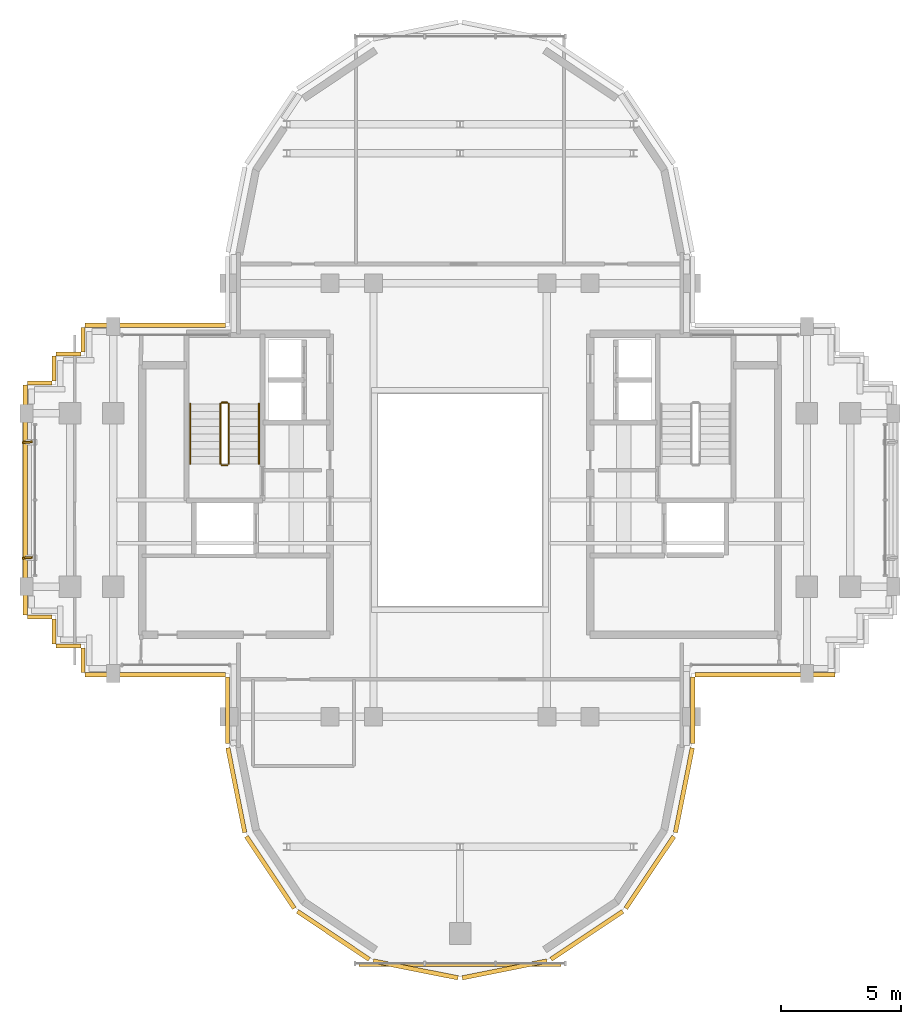
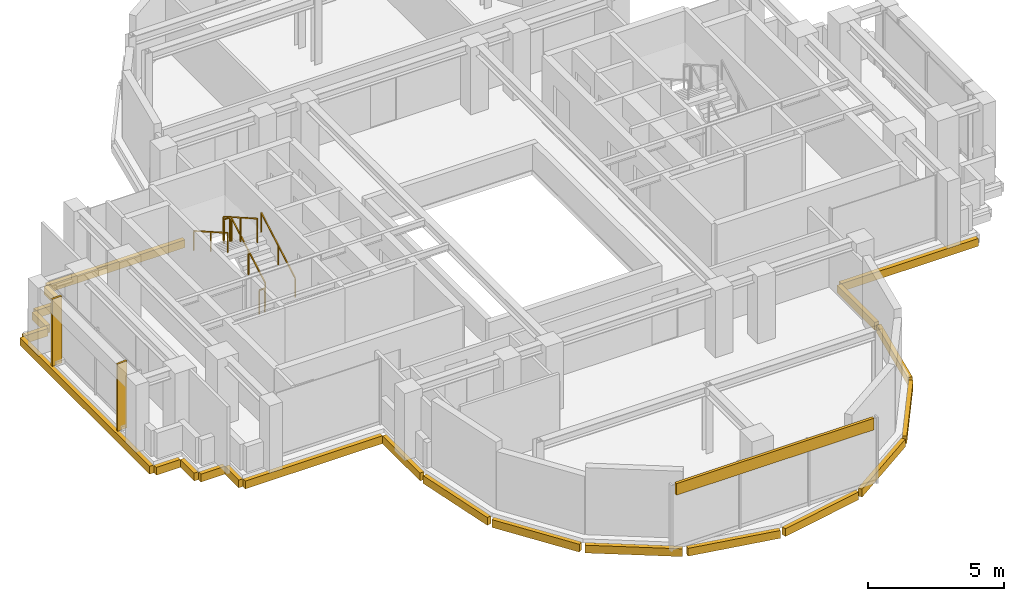
# One storey, part 11 of 12: 23 coverings, 6 railings, 2 shading devices.
"""IFC4 building model written with IfcOpenShell, lengths in metres."""

from ifc_helpers import new_model, si_unit, direction, frame, origin, origin_2d, place, context, subcontext, project, spatial, rectangle, extrude, source, transform, mapped, material, layer, layer_set, type_object, element, save


model = new_model("IFC4")

# Units and contexts
model_context = context("Model", 3, precision=1e-05, world=origin(), true_north=direction((0.0, 1.0)))
body_context = subcontext(model_context, "Body", "Model", "MODEL_VIEW")
ifc_project = project(units=[si_unit("LENGTHUNIT", "METRE"), si_unit("AREAUNIT", "SQUARE_METRE"), si_unit("VOLUMEUNIT", "CUBIC_METRE"), si_unit("PLANEANGLEUNIT", "RADIAN"), si_unit("MASSUNIT", "GRAM", prefix="KILO")], contexts=[model_context])

# Site, building, storey
site_placement = place(None, origin())
site = spatial("IfcSite", under=ifc_project, at=site_placement, CompositionType="ELEMENT")
building_placement = place(site_placement, origin())
building = spatial("IfcBuilding", under=site, at=building_placement, Name="Keilestroom Media Tower", CompositionType="ELEMENT")
storey_placement = place(building_placement, frame((0.0, 0.0, 246.0)))
storey = spatial("IfcBuildingStorey", under=building, at=storey_placement, Name="L68", CompositionType="ELEMENT", Elevation=246.0)

# Railings
ifc_material_1 = material(Name="Brushed Stainless Steel 1.4301", Category="steel")
railing_type_1 = type_object("IfcRailingType", Name="Stair-Pitch-Handrail-920", PredefinedType="HANDRAIL", material=ifc_material_1)
railing_1_placement = place(storey_placement, frame((-8.35009765625, 1.5, 0.177734375)))
element("IfcRailing", 1, at=railing_1_placement, inside=storey, type_object=railing_type_1, Name="L68 ST-1 stair handrail 1", PredefinedType="HANDRAIL", context=body_context, shape_type="SweptSolid", body=[
    extrude(rectangle(XDim=0.048095703125, YDim=0.048095703125, at=origin_2d()), frame((0.0, 0.0, 0.8759765625), z_axis=(0.0, 0.868838684858, 0.495095283449), x_axis=(-1.0, 0.0, 0.0)), (0.0, 0.0, 1.0), 2.872802734375),
    extrude(rectangle(XDim=0.0419921875, YDim=0.0419921875, at=origin_2d()), origin(), (0.0, 0.0, 1.0), 0.84375),
    extrude(rectangle(XDim=0.0419921875, YDim=0.0419921875, at=origin_2d()), frame((0.0, 1.248046875, 0.711181640625)), (0.0, 0.0, 1.0), 0.84375),
    extrude(rectangle(XDim=0.0419921875, YDim=0.0419921875, at=origin_2d()), frame((0.0, 2.49609375, 1.42236328125)), (0.0, 0.0, 1.0), 0.84375),
])
railing_2_placement = place(storey_placement, frame((-11.2099609375, 3.99609375, 1.77783203125)))
element("IfcRailing", 2, at=railing_2_placement, inside=storey, type_object=railing_type_1, Name="L68 ST-1 stair handrail 2", PredefinedType="HANDRAIL", context=body_context, shape_type="SweptSolid", body=[
    extrude(rectangle(XDim=0.048095703125, YDim=0.048095703125, at=origin_2d()), frame((0.0, 0.0, 0.8759765625), z_axis=(0.0, -0.868875238982, 0.495031129408), x_axis=(1.0, 0.0, 0.0)), (0.0, 0.0, 1.0), 2.872802734375),
    extrude(rectangle(XDim=0.0419921875, YDim=0.0419921875, at=origin_2d()), origin(), (0.0, 0.0, 1.0), 0.84375),
    extrude(rectangle(XDim=0.0419921875, YDim=0.0419921875, at=origin_2d()), frame((0.0, -1.248046875, 0.7109375)), (0.0, 0.0, 1.0), 0.84375),
    extrude(rectangle(XDim=0.0419921875, YDim=0.0419921875, at=origin_2d()), frame((0.0, -2.49609375, 1.422119140625)), (0.0, 0.0, 1.0), 0.84375),
])
ifc_material_2 = material(Name="Painted Steel Balustrade", Category="steel")
railing_type_2 = type_object("IfcRailingType", Name="Stair-Well-And-Landing-Guard-1100", PredefinedType="GUARDRAIL", material=ifc_material_2)
railing_3_placement = place(storey_placement, frame((-9.610107421875, 1.5, 0.177734375)))
element("IfcRailing", 3, at=railing_3_placement, inside=storey, type_object=railing_type_2, Name="L68 ST-1 stair guard 1", PredefinedType="GUARDRAIL", context=body_context, shape_type="SweptSolid", body=[
    extrude(rectangle(XDim=0.048095703125, YDim=0.048095703125, at=origin_2d()), frame((0.0, 0.0, 1.076171875), z_axis=(0.0, 0.868838684858, 0.495095283449), x_axis=(-1.0, 0.0, 0.0)), (0.0, 0.0, 1.0), 2.872802734375),
    extrude(rectangle(XDim=0.0419921875, YDim=0.0419921875, at=origin_2d()), origin(), (0.0, 0.0, 1.0), 1.0439453125),
    extrude(rectangle(XDim=0.0419921875, YDim=0.0419921875, at=origin_2d()), frame((0.0, 1.248046875, 0.711181640625)), (0.0, 0.0, 1.0), 1.0439453125),
    extrude(rectangle(XDim=0.0419921875, YDim=0.0419921875, at=origin_2d()), frame((0.0, 2.49609375, 1.42236328125)), (0.0, 0.0, 1.0), 1.0439453125),
])
railing_4_placement = place(storey_placement, frame((-9.659912109375, 4.0458984375, 1.60009765625)))
element("IfcRailing", 4, at=railing_4_placement, inside=storey, type_object=railing_type_2, Name="L68 ST-1 stair guard 2", PredefinedType="GUARDRAIL", context=body_context, shape_type="SweptSolid", body=[
    extrude(rectangle(XDim=0.048095703125, YDim=0.048095703125, at=origin_2d()), frame((0.0, 0.0, 1.076171875), z_axis=(-1.0, 0.0, 0.0), x_axis=(0.0, -1.0, 0.0)), (0.0, 0.0, 1.0), 0.239990234375),
    extrude(rectangle(XDim=0.0419921875, YDim=0.0419921875, at=origin_2d()), origin(), (0.0, 0.0, 1.0), 1.0439453125),
    extrude(rectangle(XDim=0.0419921875, YDim=0.0419921875, at=origin_2d()), frame((-0.239990234375, 0.0, 0.0)), (0.0, 0.0, 1.0), 1.0439453125),
])
railing_5_placement = place(storey_placement, frame((-9.949951171875, 3.99609375, 1.77783203125)))
element("IfcRailing", 5, at=railing_5_placement, inside=storey, type_object=railing_type_2, Name="L68 ST-1 stair guard 3", PredefinedType="GUARDRAIL", context=body_context, shape_type="SweptSolid", body=[
    extrude(rectangle(XDim=0.048095703125, YDim=0.048095703125, at=origin_2d()), frame((0.0, 0.0, 1.076171875), z_axis=(0.0, -0.868875238982, 0.495031129408), x_axis=(1.0, 0.0, 0.0)), (0.0, 0.0, 1.0), 2.872802734375),
    extrude(rectangle(XDim=0.0419921875, YDim=0.0419921875, at=origin_2d()), origin(), (0.0, 0.0, 1.0), 1.0439453125),
    extrude(rectangle(XDim=0.0419921875, YDim=0.0419921875, at=origin_2d()), frame((0.0, -1.248046875, 0.7109375)), (0.0, 0.0, 1.0), 1.0439453125),
    extrude(rectangle(XDim=0.0419921875, YDim=0.0419921875, at=origin_2d()), frame((0.0, -2.49609375, 1.422119140625)), (0.0, 0.0, 1.0), 1.0439453125),
])
railing_6_placement = place(storey_placement, frame((-9.659912109375, 1.449951171875, 0.0)))
element("IfcRailing", 6, at=railing_6_placement, inside=storey, type_object=railing_type_2, Name="L68 ST-1 stair guard 4", PredefinedType="GUARDRAIL", context=body_context, shape_type="SweptSolid", body=[
    extrude(rectangle(XDim=0.048095703125, YDim=0.048095703125, at=origin_2d()), frame((0.0, 0.0, 1.076171875), z_axis=(-1.0, 0.0, 0.0), x_axis=(0.0, -1.0, 0.0)), (0.0, 0.0, 1.0), 0.239990234375),
    extrude(rectangle(XDim=0.0419921875, YDim=0.0419921875, at=origin_2d()), origin(), (0.0, 0.0, 1.0), 1.0439453125),
    extrude(rectangle(XDim=0.0419921875, YDim=0.0419921875, at=origin_2d()), frame((-0.239990234375, 0.0, 0.0)), (0.0, 0.0, 1.0), 1.0439453125),
])

# Covering
ifc_material_3 = material(Name="Precast concrete C40/50", Category="concrete")
ifc_layer = layer(ifc_material_3, 0.1201171875)
ifc_layer_set = layer_set([ifc_layer], Name="Precast concrete C40/50")
covering_type = type_object("IfcCoveringType", Name="Exterior-Precast-Spandrel-Cladding-Panel-120", PredefinedType="CLADDING", material=ifc_layer_set)
shared_shape_1 = source(origin(), body_context, "Body", "SweptSolid", [
    extrude(rectangle(XDim=8.39990234375, YDim=0.1201171875, at=origin_2d()), origin(), (0.0, 0.0, 1.0), 0.52001953125),
])
covering_1_placement = place(storey_placement, frame((0.0, -19.320068359375, 2.5), z_axis=(0.0, 0.0, 1.0), x_axis=(1.0, 0.0, 0.0)))
element("IfcCovering", 7, at=covering_1_placement, inside=storey, type_object=covering_type, Name="L68 Precast Spandrel Cladding S", PredefinedType="CLADDING", context=body_context, shape_type="MappedRepresentation", body=[
    mapped(shared_shape_1, transform((0.0, 0.0, 0.0), x_axis=(1.0, 0.0, 0.0), y_axis=(0.0, 1.0, 0.0), z_axis=(0.0, 0.0, 1.0), scale=1.0)),
])

# Shading devices
ifc_material_4 = material(Name="Bronze Anodised Aluminium", Category="aluminium")
shading_device_type = type_object("IfcShadingDeviceType", Name="Facade-Vertical-Sunshade-Fin-SHD-1", PredefinedType="USERDEFINED", material=ifc_material_4)
shared_shape_2 = source(origin(), body_context, "Body", "SweptSolid", [
    extrude(rectangle(XDim=0.419921875, YDim=0.080078125, at=origin_2d()), origin(), (0.0, 0.0, 1.0), 3.010009765625),
])
for number, where, z_axis, x_axis, name in (
    (8, (-17.969970703125, -2.39990234375, 0.0), (0.0, 0.0, 1.0), (0.997684278836, 0.068015290665, 0.0), "L68 Twisting Sunshade Fin SHD-1 105"),
    (9, (-17.969970703125, 2.39990234375, 0.0), (0.0, 0.0, 1.0), (0.997684278836, 0.068015290665, 0.0), "L68 Twisting Sunshade Fin SHD-1 106"),
):
    element("IfcShadingDevice", number, at=place(storey_placement, frame(where, z_axis=z_axis, x_axis=x_axis)), inside=storey, type_object=shading_device_type, Name=name, ObjectType="SUNSHADE", PredefinedType="USERDEFINED", context=body_context, shape_type="MappedRepresentation", body=[
        mapped(shared_shape_2, transform((0.0, 0.0, 0.0), x_axis=(1.0, 0.0, 0.0), y_axis=(0.0, 1.0, 0.0), z_axis=(0.0, 0.0, 1.0), scale=1.0)),
    ])

# Coverings
shared_shape_3 = source(origin(), body_context, "Body", "SweptSolid", [
    extrude(rectangle(XDim=1.02001953125, YDim=0.179931640625, at=origin_2d()), origin(), (0.0, 0.0, 1.0), 0.35009765625),
])
for number, where, z_axis, x_axis, name in (
    (10, (-15.659912109375, -6.659912109375, -0.530029296875), (0.0, 0.0, 1.0), (0.0, 1.0, 0.0), "L68 Precast Slab-Edge Fascia Cornice 17"),
    (11, (-16.260009765625, -6.06005859375, -0.530029296875), (0.0, 0.0, 1.0), (-1.0, 0.0, 0.0), "L68 Precast Slab-Edge Fascia Cornice 18"),
    (12, (-16.860107421875, -5.4599609375, -0.530029296875), (0.0, 0.0, 1.0), (0.0, 1.0, 0.0), "L68 Precast Slab-Edge Fascia Cornice 19"),
    (13, (-17.4599609375, -4.860107421875, -0.530029296875), (0.0, 0.0, 1.0), (-1.0, 0.0, 0.0), "L68 Precast Slab-Edge Fascia Cornice 20"),
    (14, (-17.4599609375, 4.860107421875, -0.530029296875), (0.0, 0.0, 1.0), (1.0, 0.0, 0.0), "L68 Precast Slab-Edge Fascia Cornice 22"),
    (15, (-16.860107421875, 5.4599609375, -0.530029296875), (0.0, 0.0, 1.0), (0.0, 1.0, 0.0), "L68 Precast Slab-Edge Fascia Cornice 23"),
    (16, (-16.260009765625, 6.06005859375, -0.530029296875), (0.0, 0.0, 1.0), (1.0, 0.0, 0.0), "L68 Precast Slab-Edge Fascia Cornice 24"),
    (17, (-15.659912109375, 6.659912109375, -0.530029296875), (0.0, 0.0, 1.0), (0.0, 1.0, 0.0), "L68 Precast Slab-Edge Fascia Cornice 25"),
):
    element("IfcCovering", number, at=place(storey_placement, frame(where, z_axis=z_axis, x_axis=x_axis)), inside=storey, type_object=covering_type, Name=name, PredefinedType="CLADDING", context=body_context, shape_type="MappedRepresentation", body=[
        mapped(shared_shape_3, transform((0.0, 0.0, 0.0), x_axis=(1.0, 0.0, 0.0), y_axis=(0.0, 1.0, 0.0), z_axis=(0.0, 0.0, 1.0), scale=1.0)),
    ])
shared_shape_4 = source(origin(), body_context, "Body", "SweptSolid", [
    extrude(rectangle(XDim=5.820068359375, YDim=0.179931640625, at=origin_2d()), origin(), (0.0, 0.0, 1.0), 0.35009765625),
])
for number, where, z_axis, x_axis, name in (
    (18, (12.659912109375, -7.260009765625, -0.530029296875), (0.0, 0.0, 1.0), (-1.0, 0.0, 0.0), "L68 Precast Slab-Edge Fascia Cornice 05"),
    (19, (-12.659912109375, -7.260009765625, -0.530029296875), (0.0, 0.0, 1.0), (-1.0, 0.0, 0.0), "L68 Precast Slab-Edge Fascia Cornice 16"),
    (20, (-12.659912109375, 7.260009765625, -0.530029296875), (0.0, 0.0, 1.0), (1.0, 0.0, 0.0), "L68 Precast Slab-Edge Fascia Cornice 26"),
):
    element("IfcCovering", number, at=place(storey_placement, frame(where, z_axis=z_axis, x_axis=x_axis)), inside=storey, type_object=covering_type, Name=name, PredefinedType="CLADDING", context=body_context, shape_type="MappedRepresentation", body=[
        mapped(shared_shape_4, transform((0.0, 0.0, 0.0), x_axis=(1.0, 0.0, 0.0), y_axis=(0.0, 1.0, 0.0), z_axis=(0.0, 0.0, 1.0), scale=1.0)),
    ])
shared_shape_5 = source(origin(), body_context, "Body", "SweptSolid", [
    extrude(rectangle(XDim=2.765869140625, YDim=0.179931640625, at=origin_2d()), origin(), (0.0, 0.0, 1.0), 0.35009765625),
])
for number, where, z_axis, x_axis, name in (
    (21, (9.659912109375, -8.73291015625, -0.530029296875), (0.0, 0.0, 1.0), (0.0, -1.0, 0.0), "L68 Precast Slab-Edge Fascia Cornice 06"),
    (22, (-9.659912109375, -8.73291015625, -0.530029296875), (0.0, 0.0, 1.0), (0.0, 1.0, 0.0), "L68 Precast Slab-Edge Fascia Cornice 15"),
):
    element("IfcCovering", number, at=place(storey_placement, frame(where, z_axis=z_axis, x_axis=x_axis)), inside=storey, type_object=covering_type, Name=name, PredefinedType="CLADDING", context=body_context, shape_type="MappedRepresentation", body=[
        mapped(shared_shape_5, transform((0.0, 0.0, 0.0), x_axis=(1.0, 0.0, 0.0), y_axis=(0.0, 1.0, 0.0), z_axis=(0.0, 0.0, 1.0), scale=1.0)),
    ])
shared_shape_6 = source(origin(), body_context, "Body", "SweptSolid", [
    extrude(rectangle(XDim=3.58349609375, YDim=0.179931640625, at=origin_2d()), origin(), (0.0, 0.0, 1.0), 0.35009765625),
])
for number, where, z_axis, x_axis, name in (
    (23, (9.29296875, -12.051513671875, -0.530029296875), (0.0, 0.0, 1.0), (-0.195098880975, -0.980783577882, 0.0), "L68 Precast Slab-Edge Fascia Cornice 07"),
    (24, (-9.29296875, -12.051513671875, -0.530029296875), (0.0, 0.0, 1.0), (-0.195098880975, 0.980783577882, 0.0), "L68 Precast Slab-Edge Fascia Cornice 14"),
):
    element("IfcCovering", number, at=place(storey_placement, frame(where, z_axis=z_axis, x_axis=x_axis)), inside=storey, type_object=covering_type, Name=name, PredefinedType="CLADDING", context=body_context, shape_type="MappedRepresentation", body=[
        mapped(shared_shape_6, transform((0.0, 0.0, 0.0), x_axis=(1.0, 0.0, 0.0), y_axis=(0.0, 1.0, 0.0), z_axis=(0.0, 0.0, 1.0), scale=1.0)),
    ])
shared_shape_7 = source(origin(), body_context, "Body", "SweptSolid", [
    extrude(rectangle(XDim=3.589599609375, YDim=0.179931640625, at=origin_2d()), origin(), (0.0, 0.0, 1.0), 0.35009765625),
])
for number, where, z_axis, x_axis, name in (
    (25, (7.878662109375, -15.46435546875, -0.530029296875), (0.0, 0.0, 1.0), (-0.555574586577, -0.831466703332, 0.0), "L68 Precast Slab-Edge Fascia Cornice 08"),
    (26, (5.264404296875, -18.07861328125, -0.530029296875), (0.0, 0.0, 1.0), (-0.831466703332, -0.555574586577, 0.0), "L68 Precast Slab-Edge Fascia Cornice 09"),
    (27, (1.8486328125, -19.493408203125, -0.530029296875), (0.0, 0.0, 1.0), (-0.980783577882, -0.195098880975, 0.0), "L68 Precast Slab-Edge Fascia Cornice 10"),
    (28, (-1.8486328125, -19.493408203125, -0.530029296875), (0.0, 0.0, 1.0), (-0.980783577882, 0.195098880975, 0.0), "L68 Precast Slab-Edge Fascia Cornice 11"),
    (29, (-5.264404296875, -18.07861328125, -0.530029296875), (0.0, 0.0, 1.0), (-0.831466703332, 0.555574586577, 0.0), "L68 Precast Slab-Edge Fascia Cornice 12"),
    (30, (-7.878662109375, -15.46435546875, -0.530029296875), (0.0, 0.0, 1.0), (-0.555574586577, 0.831466703332, 0.0), "L68 Precast Slab-Edge Fascia Cornice 13"),
):
    element("IfcCovering", number, at=place(storey_placement, frame(where, z_axis=z_axis, x_axis=x_axis)), inside=storey, type_object=covering_type, Name=name, PredefinedType="CLADDING", context=body_context, shape_type="MappedRepresentation", body=[
        mapped(shared_shape_7, transform((0.0, 0.0, 0.0), x_axis=(1.0, 0.0, 0.0), y_axis=(0.0, 1.0, 0.0), z_axis=(0.0, 0.0, 1.0), scale=1.0)),
    ])
shared_shape_8 = source(origin(), body_context, "Body", "SweptSolid", [
    extrude(rectangle(XDim=9.5400390625, YDim=0.179931640625, at=origin_2d()), origin(), (0.0, 0.0, 1.0), 0.35009765625),
])
covering_2_placement = place(storey_placement, frame((-18.06005859375, 0.0, -0.530029296875), z_axis=(0.0, 0.0, 1.0), x_axis=(0.0, 1.0, 0.0)))
element("IfcCovering", 31, at=covering_2_placement, inside=storey, type_object=covering_type, Name="L68 Precast Slab-Edge Fascia Cornice 21", PredefinedType="CLADDING", context=body_context, shape_type="MappedRepresentation", body=[
    mapped(shared_shape_8, transform((0.0, 0.0, 0.0), x_axis=(1.0, 0.0, 0.0), y_axis=(0.0, 1.0, 0.0), z_axis=(0.0, 0.0, 1.0), scale=1.0)),
])

save(model, "model.ifc")
